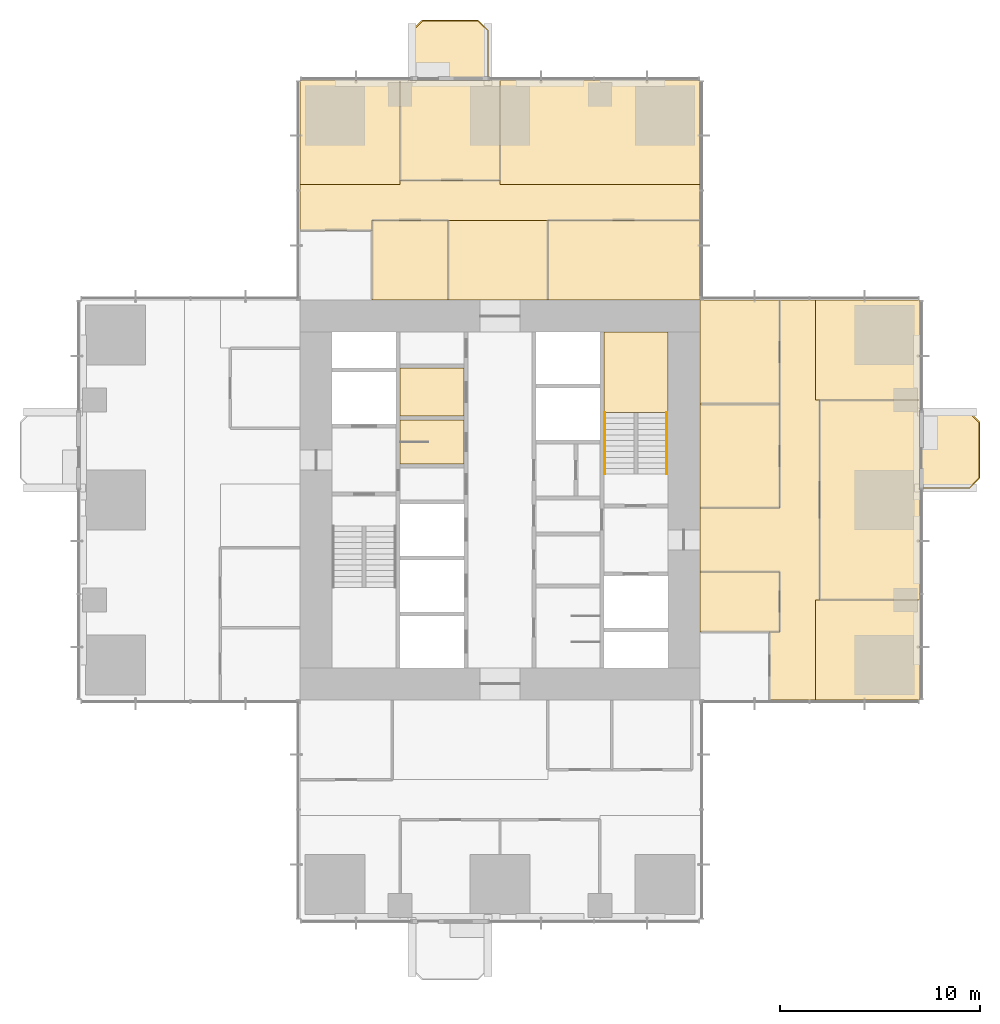
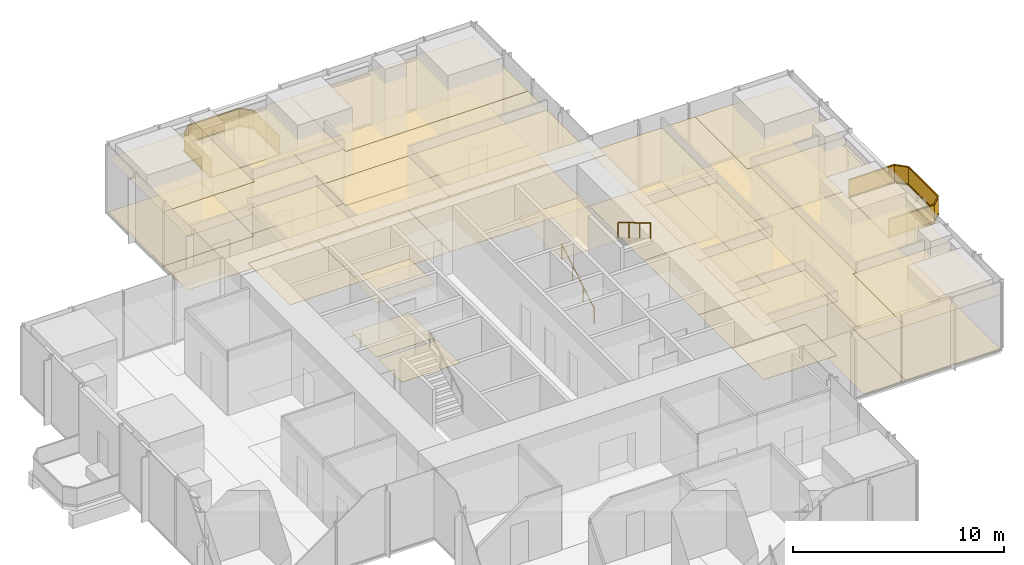
# One storey, part 12 of 13: 34 coverings, 4 railings.
"""IFC4 building model written with IfcOpenShell, lengths in metres."""

from ifc_helpers import new_model, si_unit, direction, frame, origin, origin_2d, place, context, subcontext, project, spatial, polyline, rectangle, circle, outline, extrude, material, layer, layer_set, type_object, element, save


model = new_model("IFC4")

# Units and contexts
model_context = context("Model", 3, precision=1e-05, world=origin(), true_north=direction((0.0, 1.0)))
body_context = subcontext(model_context, "Body", "Model", "MODEL_VIEW")
ifc_project = project(units=[si_unit("LENGTHUNIT", "METRE"), si_unit("AREAUNIT", "SQUARE_METRE"), si_unit("VOLUMEUNIT", "CUBIC_METRE"), si_unit("PLANEANGLEUNIT", "RADIAN"), si_unit("MASSUNIT", "GRAM", prefix="KILO")], contexts=[model_context])

# Site, building, storey
site_placement = place(None, origin())
site = spatial("IfcSite", under=ifc_project, at=site_placement, CompositionType="ELEMENT")
building_placement = place(site_placement, origin())
building = spatial("IfcBuilding", under=site, at=building_placement, Name="Svetlomir Tower", CompositionType="ELEMENT")
storey_placement = place(building_placement, frame((0.0, 0.0, 116.5)))
storey = spatial("IfcBuildingStorey", under=building, at=storey_placement, Name="L27", CompositionType="ELEMENT", Elevation=116.5)

# Railings
ifc_material_1 = material(Name="Bronze anodised aluminium and laminated glass", Category="aluminium")
railing_type_1 = type_object("IfcRailingType", Name="BALCONY GUARD GR1 1100", PredefinedType="GUARDRAIL", material=ifc_material_1)
railing_1_placement = place(storey_placement, frame((42.0, 21.60009765625, 0.0)))
element("IfcRailing", 1, at=railing_1_placement, inside=storey, type_object=railing_type_1, Name="Balcony guard E L27", PredefinedType="GUARDRAIL", context=body_context, shape_type="SweptSolid", body=[
    extrude(rectangle(XDim=0.06005859375, YDim=0.10009765625, at=origin_2d()), frame((0.0, 0.0, 0.050048828125), z_axis=(1.0, 0.0, 0.0), x_axis=(0.0, 1.0, 0.0)), (0.0, 0.0, 1.0), 2.5),
    extrude(rectangle(XDim=0.021484375, YDim=0.960205078125, at=origin_2d()), frame((0.0, 0.0, 0.580078125), z_axis=(1.0, 0.0, 0.0), x_axis=(0.0, 1.0, 0.0)), (0.0, 0.0, 1.0), 2.5),
    extrude(rectangle(XDim=0.06005859375, YDim=0.0400390625, at=origin_2d()), frame((0.0, 0.0, 1.080078125), z_axis=(1.0, 0.0, 0.0), x_axis=(0.0, 1.0, 0.0)), (0.0, 0.0, 1.0), 2.5),
    extrude(rectangle(XDim=0.06005859375, YDim=0.10009765625, at=origin_2d()), frame((2.5, 0.0, 0.050048828125), z_axis=(0.707106781187, 0.707106781187, 0.0), x_axis=(-0.707106781187, 0.707106781187, 0.0)), (0.0, 0.0, 1.0), 0.70703125),
    extrude(rectangle(XDim=0.021484375, YDim=0.960205078125, at=origin_2d()), frame((2.5, 0.0, 0.580078125), z_axis=(0.707106781187, 0.707106781187, 0.0), x_axis=(-0.707106781187, 0.707106781187, 0.0)), (0.0, 0.0, 1.0), 0.70703125),
    extrude(rectangle(XDim=0.06005859375, YDim=0.0400390625, at=origin_2d()), frame((2.5, 0.0, 1.080078125), z_axis=(0.707106781187, 0.707106781187, 0.0), x_axis=(-0.707106781187, 0.707106781187, 0.0)), (0.0, 0.0, 1.0), 0.70703125),
    extrude(rectangle(XDim=0.06005859375, YDim=0.10009765625, at=origin_2d()), frame((3.0, 0.5, 0.050048828125), z_axis=(0.0, 1.0, 0.0), x_axis=(-1.0, 0.0, 0.0)), (0.0, 0.0, 1.0), 2.7998046875),
    extrude(rectangle(XDim=0.021484375, YDim=0.960205078125, at=origin_2d()), frame((3.0, 0.5, 0.580078125), z_axis=(0.0, 1.0, 0.0), x_axis=(-1.0, 0.0, 0.0)), (0.0, 0.0, 1.0), 2.7998046875),
    extrude(rectangle(XDim=0.06005859375, YDim=0.0400390625, at=origin_2d()), frame((3.0, 0.5, 1.080078125), z_axis=(0.0, 1.0, 0.0), x_axis=(-1.0, 0.0, 0.0)), (0.0, 0.0, 1.0), 2.7998046875),
    extrude(rectangle(XDim=0.06005859375, YDim=0.10009765625, at=origin_2d()), frame((3.0, 3.2998046875, 0.050048828125), z_axis=(-0.707106781187, 0.707106781187, 0.0), x_axis=(-0.707106781187, -0.707106781187, 0.0)), (0.0, 0.0, 1.0), 0.70703125),
    extrude(rectangle(XDim=0.021484375, YDim=0.960205078125, at=origin_2d()), frame((3.0, 3.2998046875, 0.580078125), z_axis=(-0.707106781187, 0.707106781187, 0.0), x_axis=(-0.707106781187, -0.707106781187, 0.0)), (0.0, 0.0, 1.0), 0.70703125),
    extrude(rectangle(XDim=0.06005859375, YDim=0.0400390625, at=origin_2d()), frame((3.0, 3.2998046875, 1.080078125), z_axis=(-0.707106781187, 0.707106781187, 0.0), x_axis=(-0.707106781187, -0.707106781187, 0.0)), (0.0, 0.0, 1.0), 0.70703125),
    extrude(rectangle(XDim=0.06005859375, YDim=0.10009765625, at=origin_2d()), frame((2.5, 3.7998046875, 0.050048828125), z_axis=(-1.0, 0.0, 0.0), x_axis=(0.0, -1.0, 0.0)), (0.0, 0.0, 1.0), 2.5),
    extrude(rectangle(XDim=0.021484375, YDim=0.960205078125, at=origin_2d()), frame((2.5, 3.7998046875, 0.580078125), z_axis=(-1.0, 0.0, 0.0), x_axis=(0.0, -1.0, 0.0)), (0.0, 0.0, 1.0), 2.5),
    extrude(rectangle(XDim=0.06005859375, YDim=0.0400390625, at=origin_2d()), frame((2.5, 3.7998046875, 1.080078125), z_axis=(-1.0, 0.0, 0.0), x_axis=(0.0, -1.0, 0.0)), (0.0, 0.0, 1.0), 2.5),
])
railing_2_placement = place(storey_placement, frame((20.39990234375, 42.0, 0.0)))
element("IfcRailing", 2, at=railing_2_placement, inside=storey, type_object=railing_type_1, Name="Balcony guard N L27", PredefinedType="GUARDRAIL", context=body_context, shape_type="SweptSolid", body=[
    extrude(rectangle(XDim=0.06005859375, YDim=0.10009765625, at=origin_2d()), frame((0.0, 0.0, 0.050048828125), z_axis=(0.0, 1.0, 0.0), x_axis=(-1.0, 0.0, 0.0)), (0.0, 0.0, 1.0), 2.5),
    extrude(rectangle(XDim=0.021484375, YDim=0.960205078125, at=origin_2d()), frame((0.0, 0.0, 0.580078125), z_axis=(0.0, 1.0, 0.0), x_axis=(-1.0, 0.0, 0.0)), (0.0, 0.0, 1.0), 2.5),
    extrude(rectangle(XDim=0.06005859375, YDim=0.0400390625, at=origin_2d()), frame((0.0, 0.0, 1.080078125), z_axis=(0.0, 1.0, 0.0), x_axis=(-1.0, 0.0, 0.0)), (0.0, 0.0, 1.0), 2.5),
    extrude(rectangle(XDim=0.06005859375, YDim=0.10009765625, at=origin_2d()), frame((0.0, 2.5, 0.050048828125), z_axis=(-0.707106781187, 0.707106781187, 0.0), x_axis=(-0.707106781187, -0.707106781187, 0.0)), (0.0, 0.0, 1.0), 0.70703125),
    extrude(rectangle(XDim=0.021484375, YDim=0.960205078125, at=origin_2d()), frame((0.0, 2.5, 0.580078125), z_axis=(-0.707106781187, 0.707106781187, 0.0), x_axis=(-0.707106781187, -0.707106781187, 0.0)), (0.0, 0.0, 1.0), 0.70703125),
    extrude(rectangle(XDim=0.06005859375, YDim=0.0400390625, at=origin_2d()), frame((0.0, 2.5, 1.080078125), z_axis=(-0.707106781187, 0.707106781187, 0.0), x_axis=(-0.707106781187, -0.707106781187, 0.0)), (0.0, 0.0, 1.0), 0.70703125),
    extrude(rectangle(XDim=0.06005859375, YDim=0.10009765625, at=origin_2d()), frame((-0.5, 3.0, 0.050048828125), z_axis=(-1.0, 0.0, 0.0), x_axis=(0.0, -1.0, 0.0)), (0.0, 0.0, 1.0), 2.7998046875),
    extrude(rectangle(XDim=0.021484375, YDim=0.960205078125, at=origin_2d()), frame((-0.5, 3.0, 0.580078125), z_axis=(-1.0, 0.0, 0.0), x_axis=(0.0, -1.0, 0.0)), (0.0, 0.0, 1.0), 2.7998046875),
    extrude(rectangle(XDim=0.06005859375, YDim=0.0400390625, at=origin_2d()), frame((-0.5, 3.0, 1.080078125), z_axis=(-1.0, 0.0, 0.0), x_axis=(0.0, -1.0, 0.0)), (0.0, 0.0, 1.0), 2.7998046875),
    extrude(rectangle(XDim=0.06005859375, YDim=0.10009765625, at=origin_2d()), frame((-3.2998046875, 3.0, 0.050048828125), z_axis=(-0.707106781187, -0.707106781187, 0.0), x_axis=(0.707106781187, -0.707106781187, 0.0)), (0.0, 0.0, 1.0), 0.70703125),
    extrude(rectangle(XDim=0.021484375, YDim=0.960205078125, at=origin_2d()), frame((-3.2998046875, 3.0, 0.580078125), z_axis=(-0.707106781187, -0.707106781187, 0.0), x_axis=(0.707106781187, -0.707106781187, 0.0)), (0.0, 0.0, 1.0), 0.70703125),
    extrude(rectangle(XDim=0.06005859375, YDim=0.0400390625, at=origin_2d()), frame((-3.2998046875, 3.0, 1.080078125), z_axis=(-0.707106781187, -0.707106781187, 0.0), x_axis=(0.707106781187, -0.707106781187, 0.0)), (0.0, 0.0, 1.0), 0.70703125),
    extrude(rectangle(XDim=0.06005859375, YDim=0.10009765625, at=origin_2d()), frame((-3.7998046875, 2.5, 0.050048828125), z_axis=(0.0, -1.0, 0.0), x_axis=(1.0, 0.0, 0.0)), (0.0, 0.0, 1.0), 2.5),
    extrude(rectangle(XDim=0.021484375, YDim=0.960205078125, at=origin_2d()), frame((-3.7998046875, 2.5, 0.580078125), z_axis=(0.0, -1.0, 0.0), x_axis=(1.0, 0.0, 0.0)), (0.0, 0.0, 1.0), 2.5),
    extrude(rectangle(XDim=0.06005859375, YDim=0.0400390625, at=origin_2d()), frame((-3.7998046875, 2.5, 1.080078125), z_axis=(0.0, -1.0, 0.0), x_axis=(1.0, 0.0, 0.0)), (0.0, 0.0, 1.0), 2.5),
])

# Coverings
ifc_material_2 = material(Name="Granite paving slabs on pedestals", Category="masonry")
ifc_layer_1 = layer(ifc_material_2, 0.0400390625)
ifc_layer_set_1 = layer_set([ifc_layer_1], Name="Granite paving slabs on pedestals")
covering_type_1 = type_object("IfcCoveringType", Name="BALCONY PAVING 40", PredefinedType="USERDEFINED", material=ifc_layer_set_1)
covering_1_placement = place(storey_placement, origin())
element("IfcCovering", 3, at=covering_1_placement, inside=storey, type_object=covering_type_1, Name="Balcony paving E L27", ObjectType="BALCONY PAVING", PredefinedType="USERDEFINED", context=body_context, shape_type="SweptSolid", body=[
    extrude(outline(polyline([(42.0, 21.60009765625), (44.5, 21.60009765625), (45.0, 22.10009765625), (45.0, 24.89990234375), (44.5, 25.39990234375), (42.0, 25.39990234375), (42.0, 21.60009765625)])), origin(), (0.0, 0.0, 1.0), 0.0400390625),
])
covering_2_placement = place(storey_placement, origin())
element("IfcCovering", 4, at=covering_2_placement, inside=storey, type_object=covering_type_1, Name="Balcony paving N L27", ObjectType="BALCONY PAVING", PredefinedType="USERDEFINED", context=body_context, shape_type="SweptSolid", body=[
    extrude(outline(polyline([(16.60009765625, 42.0), (20.39990234375, 42.0), (20.39990234375, 44.5), (19.89990234375, 45.0), (17.10009765625, 45.0), (16.60009765625, 44.5), (16.60009765625, 42.0)])), origin(), (0.0, 0.0, 1.0), 0.0400390625),
])
ifc_material_3 = material(Name="Carpet tile", Category="textile")
ifc_layer_2 = layer(ifc_material_3, 0.010009765625)
ifc_layer_set_2 = layer_set([ifc_layer_2], Name="Carpet tile")
covering_type_2 = type_object("IfcCoveringType", Name="CARPET TILE FLOOR 10", PredefinedType="FLOORING", material=ifc_layer_set_2)
covering_3_placement = place(storey_placement, origin())
element("IfcCovering", 5, at=covering_3_placement, inside=storey, type_object=covering_type_2, Name="Floor finish L27-21", PredefinedType="FLOORING", context=body_context, shape_type="SweptSolid", body=[
    extrude(outline(polyline([(31.0, 14.39990234375), (35.0, 14.39990234375), (35.0, 17.39990234375), (31.0, 17.39990234375), (31.0, 14.39990234375)])), origin(), (0.0, 0.0, 1.0), 0.010009765625),
])
covering_4_placement = place(storey_placement, origin())
element("IfcCovering", 6, at=covering_4_placement, inside=storey, type_object=covering_type_2, Name="Floor finish L27-22", PredefinedType="FLOORING", context=body_context, shape_type="SweptSolid", body=[
    extrude(outline(polyline([(31.0, 20.60009765625), (35.0, 20.60009765625), (35.0, 25.800048828125), (31.0, 25.800048828125), (31.0, 20.60009765625)])), origin(), (0.0, 0.0, 1.0), 0.010009765625),
])
covering_5_placement = place(storey_placement, origin())
element("IfcCovering", 7, at=covering_5_placement, inside=storey, type_object=covering_type_2, Name="Floor finish L27-23", PredefinedType="FLOORING", context=body_context, shape_type="SweptSolid", body=[
    extrude(outline(polyline([(31.0, 25.800048828125), (35.0, 25.800048828125), (35.0, 31.0), (31.0, 31.0), (31.0, 25.800048828125)])), origin(), (0.0, 0.0, 1.0), 0.010009765625),
])
covering_6_placement = place(storey_placement, origin())
element("IfcCovering", 8, at=covering_6_placement, inside=storey, type_object=covering_type_2, Name="Floor finish L27-24", PredefinedType="FLOORING", context=body_context, shape_type="SweptSolid", body=[
    extrude(outline(polyline([(37.0, 16.0), (42.0, 16.0), (42.0, 26.0), (37.0, 26.0), (37.0, 16.0)])), origin(), (0.0, 0.0, 1.0), 0.010009765625),
])
covering_7_placement = place(storey_placement, origin())
element("IfcCovering", 9, at=covering_7_placement, inside=storey, type_object=covering_type_2, Name="Floor finish L27-26", PredefinedType="FLOORING", context=body_context, shape_type="SweptSolid", body=[
    extrude(outline(polyline([(14.60009765625, 31.0), (18.39990234375, 31.0), (18.39990234375, 35.0), (14.60009765625, 35.0), (14.60009765625, 31.0)])), origin(), (0.0, 0.0, 1.0), 0.010009765625),
])
covering_8_placement = place(storey_placement, origin())
element("IfcCovering", 10, at=covering_8_placement, inside=storey, type_object=covering_type_2, Name="Floor finish L27-27", PredefinedType="FLOORING", context=body_context, shape_type="SweptSolid", body=[
    extrude(outline(polyline([(23.39990234375, 31.0), (31.0, 31.0), (31.0, 35.0), (23.39990234375, 35.0), (23.39990234375, 31.0)])), origin(), (0.0, 0.0, 1.0), 0.010009765625),
])
covering_9_placement = place(storey_placement, origin())
element("IfcCovering", 11, at=covering_9_placement, inside=storey, type_object=covering_type_2, Name="Floor finish L27-28", PredefinedType="FLOORING", context=body_context, shape_type="SweptSolid", body=[
    extrude(outline(polyline([(16.0, 37.0), (21.0, 37.0), (21.0, 42.0), (16.0, 42.0), (16.0, 37.0)])), origin(), (0.0, 0.0, 1.0), 0.010009765625),
])
covering_10_placement = place(storey_placement, origin())
element("IfcCovering", 12, at=covering_10_placement, inside=storey, type_object=covering_type_2, Name="Floor finish L27-34", PredefinedType="FLOORING", context=body_context, shape_type="SweptSolid", body=[
    extrude(outline(polyline([(31.0, 35.0), (14.60009765625, 35.0), (14.60009765625, 34.5), (11.0, 34.5), (11.0, 36.800048828125), (16.0, 36.800048828125), (16.0, 37.0), (21.0, 37.0), (21.0, 36.800048828125), (31.0, 36.800048828125), (31.0, 35.0)])), origin(), (0.0, 0.0, 1.0), 0.010009765625),
])
covering_11_placement = place(storey_placement, origin())
element("IfcCovering", 13, at=covering_11_placement, inside=storey, type_object=covering_type_2, Name="Floor finish L27-35", PredefinedType="FLOORING", context=body_context, shape_type="SweptSolid", body=[
    extrude(outline(polyline([(34.5, 14.39990234375), (35.0, 14.39990234375), (35.0, 17.39990234375), (31.0, 17.39990234375), (31.0, 20.60009765625), (35.0, 20.60009765625), (35.0, 31.0), (36.800048828125, 31.0), (36.800048828125, 26.0), (37.0, 26.0), (37.0, 16.0), (36.800048828125, 16.0), (36.800048828125, 11.0), (34.5, 11.0), (34.5, 14.39990234375)])), origin(), (0.0, 0.0, 1.0), 0.010009765625),
])
covering_12_placement = place(storey_placement, origin())
element("IfcCovering", 14, at=covering_12_placement, inside=storey, type_object=covering_type_2, Name="Floor finish L27-39", PredefinedType="FLOORING", context=body_context, shape_type="SweptSolid", body=[
    extrude(outline(polyline([(36.800048828125, 16.0), (42.0, 16.0), (42.0, 11.0), (36.800048828125, 11.0), (36.800048828125, 16.0)])), origin(), (0.0, 0.0, 1.0), 0.010009765625),
])
covering_13_placement = place(storey_placement, origin())
element("IfcCovering", 15, at=covering_13_placement, inside=storey, type_object=covering_type_2, Name="Floor finish L27-40", PredefinedType="FLOORING", context=body_context, shape_type="SweptSolid", body=[
    extrude(outline(polyline([(42.0, 26.0), (36.800048828125, 26.0), (36.800048828125, 31.0), (42.0, 31.0), (42.0, 26.0)])), origin(), (0.0, 0.0, 1.0), 0.010009765625),
])
covering_14_placement = place(storey_placement, origin())
element("IfcCovering", 16, at=covering_14_placement, inside=storey, type_object=covering_type_2, Name="Floor finish L27-41", PredefinedType="FLOORING", context=body_context, shape_type="SweptSolid", body=[
    extrude(outline(polyline([(21.0, 36.800048828125), (21.0, 42.0), (31.0, 42.0), (31.0, 36.800048828125), (21.0, 36.800048828125)])), origin(), (0.0, 0.0, 1.0), 0.010009765625),
])
covering_15_placement = place(storey_placement, origin())
element("IfcCovering", 17, at=covering_15_placement, inside=storey, type_object=covering_type_2, Name="Floor finish L27-42", PredefinedType="FLOORING", context=body_context, shape_type="SweptSolid", body=[
    extrude(outline(polyline([(18.39990234375, 31.0), (18.39990234375, 35.0), (23.39990234375, 35.0), (23.39990234375, 31.0), (18.39990234375, 31.0)])), origin(), (0.0, 0.0, 1.0), 0.010009765625),
])
covering_16_placement = place(storey_placement, origin())
element("IfcCovering", 18, at=covering_16_placement, inside=storey, type_object=covering_type_2, Name="Floor finish L27-43", PredefinedType="FLOORING", context=body_context, shape_type="SweptSolid", body=[
    extrude(outline(polyline([(16.0, 42.0), (16.0, 36.800048828125), (11.0, 36.800048828125), (11.0, 42.0), (16.0, 42.0)])), origin(), (0.0, 0.0, 1.0), 0.010009765625),
])
ifc_material_4 = material(Name="Ceramic floor tile", Category="ceramic")
ifc_layer_3 = layer(ifc_material_4, 0.014892578125)
ifc_layer_set_3 = layer_set([ifc_layer_3], Name="Ceramic floor tile")
covering_type_3 = type_object("IfcCoveringType", Name="CERAMIC TILE FLOOR 15", PredefinedType="FLOORING", material=ifc_layer_set_3)
covering_17_placement = place(storey_placement, origin())
element("IfcCovering", 19, at=covering_17_placement, inside=storey, type_object=covering_type_3, Name="Floor finish L27-04", PredefinedType="FLOORING", context=body_context, shape_type="SweptSolid", body=[
    extrude(outline(polyline([(16.0, 22.800048828125), (19.199951171875, 22.800048828125), (19.199951171875, 25.0), (16.0, 25.0), (16.0, 22.800048828125)])), origin(), (0.0, 0.0, 1.0), 0.014892578125),
])
covering_18_placement = place(storey_placement, origin())
element("IfcCovering", 20, at=covering_18_placement, inside=storey, type_object=covering_type_3, Name="Floor finish L27-05", PredefinedType="FLOORING", context=body_context, shape_type="SweptSolid", body=[
    extrude(outline(polyline([(16.0, 25.199951171875), (19.199951171875, 25.199951171875), (19.199951171875, 27.60009765625), (16.0, 27.60009765625), (16.0, 25.199951171875)])), origin(), (0.0, 0.0, 1.0), 0.014892578125),
])

# Railings
ifc_material_5 = material(Name="Stainless steel", Category="steel")
railing_type_2 = type_object("IfcRailingType", Name="HANDRAIL HR1 900", PredefinedType="HANDRAIL", material=ifc_material_5)
railing_3_placement = place(storey_placement, frame((26.25, 22.300048828125, 0.166748046875)))
element("IfcRailing", 21, at=railing_3_placement, inside=storey, type_object=railing_type_2, Name="Handrail S2 flight 1 L27", PredefinedType="HANDRAIL", context=body_context, shape_type="SweptSolid", body=[
    extrude(circle(Radius=0.02392578125, at=origin_2d()), frame((0.0, 0.0, 0.8759765625), z_axis=(0.0, 0.859290745958, 0.51148745235), x_axis=(-1.0, 0.0, 0.0)), (0.0, 0.0, 1.0), 3.584228515625),
    extrude(circle(Radius=0.02099609375, at=origin_2d()), origin(), (0.0, 0.0, 1.0), 0.851806640625),
    extrude(circle(Radius=0.02099609375, at=origin_2d()), frame((0.0, 1.026611328125, 0.611083984375)), (0.0, 0.0, 1.0), 0.851806640625),
    extrude(circle(Radius=0.02099609375, at=origin_2d()), frame((0.0, 2.05322265625, 1.22216796875)), (0.0, 0.0, 1.0), 0.851806640625),
    extrude(circle(Radius=0.02099609375, at=origin_2d()), frame((0.0, 3.079833984375, 1.833251953125)), (0.0, 0.0, 1.0), 0.851806640625),
])
railing_4_placement = place(storey_placement, frame((29.35009765625, 25.3798828125, 2.166748046875)))
element("IfcRailing", 22, at=railing_4_placement, inside=storey, type_object=railing_type_2, Name="Handrail S2 flight 2 L27", PredefinedType="HANDRAIL", context=body_context, shape_type="SweptSolid", body=[
    extrude(circle(Radius=0.02392578125, at=origin_2d()), frame((0.0, 0.0, 0.8759765625), z_axis=(0.0, -0.859290745958, 0.51148745235), x_axis=(1.0, 0.0, 0.0)), (0.0, 0.0, 1.0), 3.584228515625),
    extrude(circle(Radius=0.02099609375, at=origin_2d()), origin(), (0.0, 0.0, 1.0), 0.851806640625),
    extrude(circle(Radius=0.02099609375, at=origin_2d()), frame((0.0, -1.026611328125, 0.611083984375)), (0.0, 0.0, 1.0), 0.851806640625),
    extrude(circle(Radius=0.02099609375, at=origin_2d()), frame((0.0, -2.05322265625, 1.22216796875)), (0.0, 0.0, 1.0), 0.851806640625),
    extrude(circle(Radius=0.02099609375, at=origin_2d()), frame((0.0, -3.079833984375, 1.833251953125)), (0.0, 0.0, 1.0), 0.851806640625),
])

# Coverings
ifc_material_6 = material(Name="Moisture resistant plasterboard ceiling", Category="gypsum")
ifc_layer_4 = layer(ifc_material_6, 0.012451171875)
ifc_layer_set_4 = layer_set([ifc_layer_4], Name="Moisture resistant plasterboard ceiling")
covering_type_4 = type_object("IfcCoveringType", Name="MOISTURE RESISTANT CEILING 12.5", PredefinedType="CEILING", material=ifc_layer_set_4)
covering_19_placement = place(storey_placement, frame((0.0, 0.0, 3.137451171875)))
element("IfcCovering", 23, at=covering_19_placement, inside=storey, type_object=covering_type_4, Name="Ceiling L27-05", PredefinedType="CEILING", context=body_context, shape_type="SweptSolid", body=[
    extrude(outline(polyline([(16.0, 25.199951171875), (19.199951171875, 25.199951171875), (19.199951171875, 27.60009765625), (16.0, 27.60009765625), (16.0, 25.199951171875)])), origin(), (0.0, 0.0, 1.0), 0.012451171875),
])
ifc_material_7 = material(Name="Studded rubber floor finish", Category="rubber")
ifc_layer_5 = layer(ifc_material_7, 0.006103515625)
ifc_layer_set_5 = layer_set([ifc_layer_5], Name="Studded rubber floor finish")
covering_type_5 = type_object("IfcCoveringType", Name="RUBBER LANDING FINISH 6", PredefinedType="FLOORING", material=ifc_layer_set_5)
covering_20_placement = place(storey_placement, frame((0.0, 0.0, 2.0)))
element("IfcCovering", 24, at=covering_20_placement, inside=storey, type_object=covering_type_5, Name="Stair S2 landing finish L27", PredefinedType="FLOORING", context=body_context, shape_type="SweptSolid", body=[
    extrude(outline(polyline([(26.199951171875, 25.3798828125), (29.39990234375, 25.3798828125), (29.39990234375, 29.39990234375), (26.199951171875, 29.39990234375), (26.199951171875, 25.3798828125)])), origin(), (0.0, 0.0, 1.0), 0.006103515625),
])
ifc_material_8 = material(Name="Mineral fibre ceiling tile", Category="mineral")
ifc_layer_6 = layer(ifc_material_8, 0.02001953125)
ifc_layer_set_6 = layer_set([ifc_layer_6], Name="Mineral fibre ceiling tile")
covering_type_6 = type_object("IfcCoveringType", Name="SUSPENDED CEILING 20", PredefinedType="CEILING", material=ifc_layer_set_6)
covering_21_placement = place(storey_placement, frame((0.0, 0.0, 3.1298828125)))
element("IfcCovering", 25, at=covering_21_placement, inside=storey, type_object=covering_type_6, Name="Ceiling L27-21", PredefinedType="CEILING", context=body_context, shape_type="SweptSolid", body=[
    extrude(outline(polyline([(31.0, 14.39990234375), (35.0, 14.39990234375), (35.0, 17.39990234375), (31.0, 17.39990234375), (31.0, 14.39990234375)])), origin(), (0.0, 0.0, 1.0), 0.02001953125),
])
covering_22_placement = place(storey_placement, frame((0.0, 0.0, 3.1298828125)))
element("IfcCovering", 26, at=covering_22_placement, inside=storey, type_object=covering_type_6, Name="Ceiling L27-22", PredefinedType="CEILING", context=body_context, shape_type="SweptSolid", body=[
    extrude(outline(polyline([(31.0, 20.60009765625), (35.0, 20.60009765625), (35.0, 25.800048828125), (31.0, 25.800048828125), (31.0, 20.60009765625)])), origin(), (0.0, 0.0, 1.0), 0.02001953125),
])
covering_23_placement = place(storey_placement, frame((0.0, 0.0, 3.1298828125)))
element("IfcCovering", 27, at=covering_23_placement, inside=storey, type_object=covering_type_6, Name="Ceiling L27-23", PredefinedType="CEILING", context=body_context, shape_type="SweptSolid", body=[
    extrude(outline(polyline([(31.0, 25.800048828125), (35.0, 25.800048828125), (35.0, 31.0), (31.0, 31.0), (31.0, 25.800048828125)])), origin(), (0.0, 0.0, 1.0), 0.02001953125),
])
covering_24_placement = place(storey_placement, frame((0.0, 0.0, 3.1298828125)))
element("IfcCovering", 28, at=covering_24_placement, inside=storey, type_object=covering_type_6, Name="Ceiling L27-24", PredefinedType="CEILING", context=body_context, shape_type="SweptSolid", body=[
    extrude(outline(polyline([(37.0, 16.0), (42.0, 16.0), (42.0, 26.0), (37.0, 26.0), (37.0, 16.0)])), origin(), (0.0, 0.0, 1.0), 0.02001953125),
])
covering_25_placement = place(storey_placement, frame((0.0, 0.0, 3.1298828125)))
element("IfcCovering", 29, at=covering_25_placement, inside=storey, type_object=covering_type_6, Name="Ceiling L27-26", PredefinedType="CEILING", context=body_context, shape_type="SweptSolid", body=[
    extrude(outline(polyline([(14.60009765625, 31.0), (18.39990234375, 31.0), (18.39990234375, 35.0), (14.60009765625, 35.0), (14.60009765625, 31.0)])), origin(), (0.0, 0.0, 1.0), 0.02001953125),
])
covering_26_placement = place(storey_placement, frame((0.0, 0.0, 3.1298828125)))
element("IfcCovering", 30, at=covering_26_placement, inside=storey, type_object=covering_type_6, Name="Ceiling L27-27", PredefinedType="CEILING", context=body_context, shape_type="SweptSolid", body=[
    extrude(outline(polyline([(23.39990234375, 31.0), (31.0, 31.0), (31.0, 35.0), (23.39990234375, 35.0), (23.39990234375, 31.0)])), origin(), (0.0, 0.0, 1.0), 0.02001953125),
])
covering_27_placement = place(storey_placement, frame((0.0, 0.0, 3.1298828125)))
element("IfcCovering", 31, at=covering_27_placement, inside=storey, type_object=covering_type_6, Name="Ceiling L27-28", PredefinedType="CEILING", context=body_context, shape_type="SweptSolid", body=[
    extrude(outline(polyline([(16.0, 37.0), (21.0, 37.0), (21.0, 42.0), (16.0, 42.0), (16.0, 37.0)])), origin(), (0.0, 0.0, 1.0), 0.02001953125),
])
covering_28_placement = place(storey_placement, frame((0.0, 0.0, 3.1298828125)))
element("IfcCovering", 32, at=covering_28_placement, inside=storey, type_object=covering_type_6, Name="Ceiling L27-34", PredefinedType="CEILING", context=body_context, shape_type="SweptSolid", body=[
    extrude(outline(polyline([(31.0, 35.0), (14.60009765625, 35.0), (14.60009765625, 34.5), (11.0, 34.5), (11.0, 36.800048828125), (16.0, 36.800048828125), (16.0, 37.0), (21.0, 37.0), (21.0, 36.800048828125), (31.0, 36.800048828125), (31.0, 35.0)])), origin(), (0.0, 0.0, 1.0), 0.02001953125),
])
covering_29_placement = place(storey_placement, frame((0.0, 0.0, 3.1298828125)))
element("IfcCovering", 33, at=covering_29_placement, inside=storey, type_object=covering_type_6, Name="Ceiling L27-35", PredefinedType="CEILING", context=body_context, shape_type="SweptSolid", body=[
    extrude(outline(polyline([(34.5, 14.39990234375), (35.0, 14.39990234375), (35.0, 17.39990234375), (31.0, 17.39990234375), (31.0, 20.60009765625), (35.0, 20.60009765625), (35.0, 31.0), (36.800048828125, 31.0), (36.800048828125, 26.0), (37.0, 26.0), (37.0, 16.0), (36.800048828125, 16.0), (36.800048828125, 11.0), (34.5, 11.0), (34.5, 14.39990234375)])), origin(), (0.0, 0.0, 1.0), 0.02001953125),
])
covering_30_placement = place(storey_placement, frame((0.0, 0.0, 3.1298828125)))
element("IfcCovering", 34, at=covering_30_placement, inside=storey, type_object=covering_type_6, Name="Ceiling L27-39", PredefinedType="CEILING", context=body_context, shape_type="SweptSolid", body=[
    extrude(outline(polyline([(36.800048828125, 16.0), (42.0, 16.0), (42.0, 11.0), (36.800048828125, 11.0), (36.800048828125, 16.0)])), origin(), (0.0, 0.0, 1.0), 0.02001953125),
])
covering_31_placement = place(storey_placement, frame((0.0, 0.0, 3.1298828125)))
element("IfcCovering", 35, at=covering_31_placement, inside=storey, type_object=covering_type_6, Name="Ceiling L27-40", PredefinedType="CEILING", context=body_context, shape_type="SweptSolid", body=[
    extrude(outline(polyline([(42.0, 26.0), (36.800048828125, 26.0), (36.800048828125, 31.0), (42.0, 31.0), (42.0, 26.0)])), origin(), (0.0, 0.0, 1.0), 0.02001953125),
])
covering_32_placement = place(storey_placement, frame((0.0, 0.0, 3.1298828125)))
element("IfcCovering", 36, at=covering_32_placement, inside=storey, type_object=covering_type_6, Name="Ceiling L27-41", PredefinedType="CEILING", context=body_context, shape_type="SweptSolid", body=[
    extrude(outline(polyline([(21.0, 36.800048828125), (21.0, 42.0), (31.0, 42.0), (31.0, 36.800048828125), (21.0, 36.800048828125)])), origin(), (0.0, 0.0, 1.0), 0.02001953125),
])
covering_33_placement = place(storey_placement, frame((0.0, 0.0, 3.1298828125)))
element("IfcCovering", 37, at=covering_33_placement, inside=storey, type_object=covering_type_6, Name="Ceiling L27-42", PredefinedType="CEILING", context=body_context, shape_type="SweptSolid", body=[
    extrude(outline(polyline([(18.39990234375, 31.0), (18.39990234375, 35.0), (23.39990234375, 35.0), (23.39990234375, 31.0), (18.39990234375, 31.0)])), origin(), (0.0, 0.0, 1.0), 0.02001953125),
])
covering_34_placement = place(storey_placement, frame((0.0, 0.0, 3.1298828125)))
element("IfcCovering", 38, at=covering_34_placement, inside=storey, type_object=covering_type_6, Name="Ceiling L27-43", PredefinedType="CEILING", context=body_context, shape_type="SweptSolid", body=[
    extrude(outline(polyline([(16.0, 42.0), (16.0, 36.800048828125), (11.0, 36.800048828125), (11.0, 42.0), (16.0, 42.0)])), origin(), (0.0, 0.0, 1.0), 0.02001953125),
])

save(model, "model.ifc")
